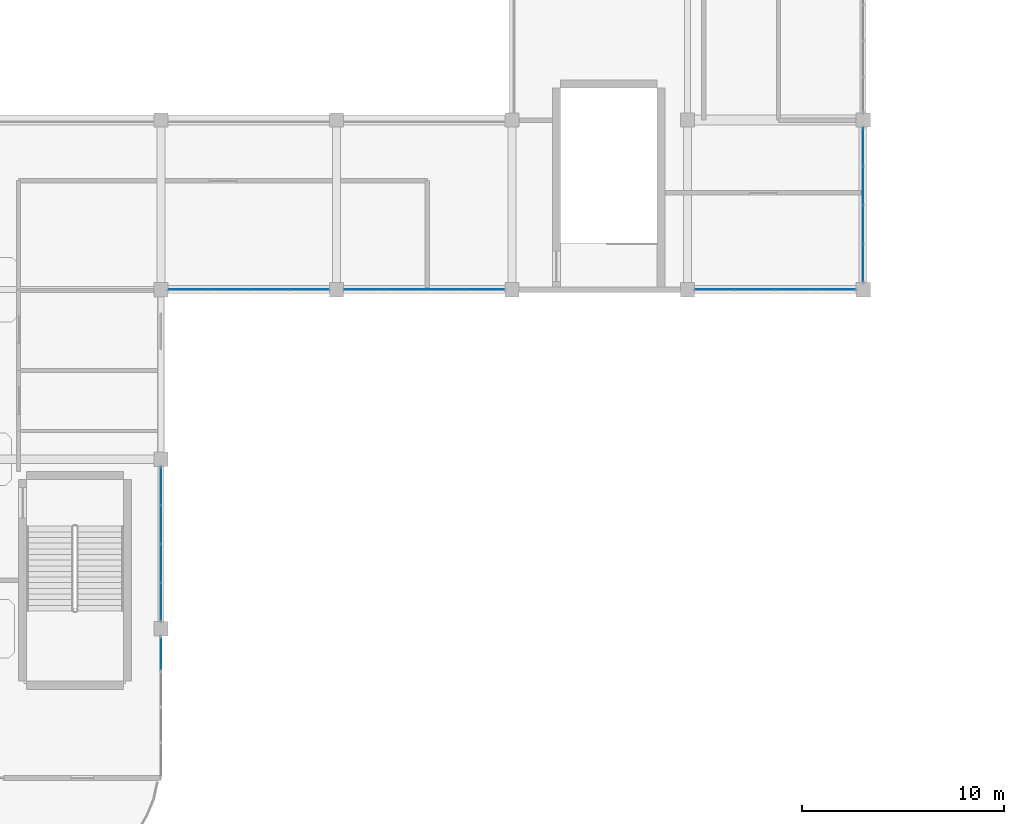
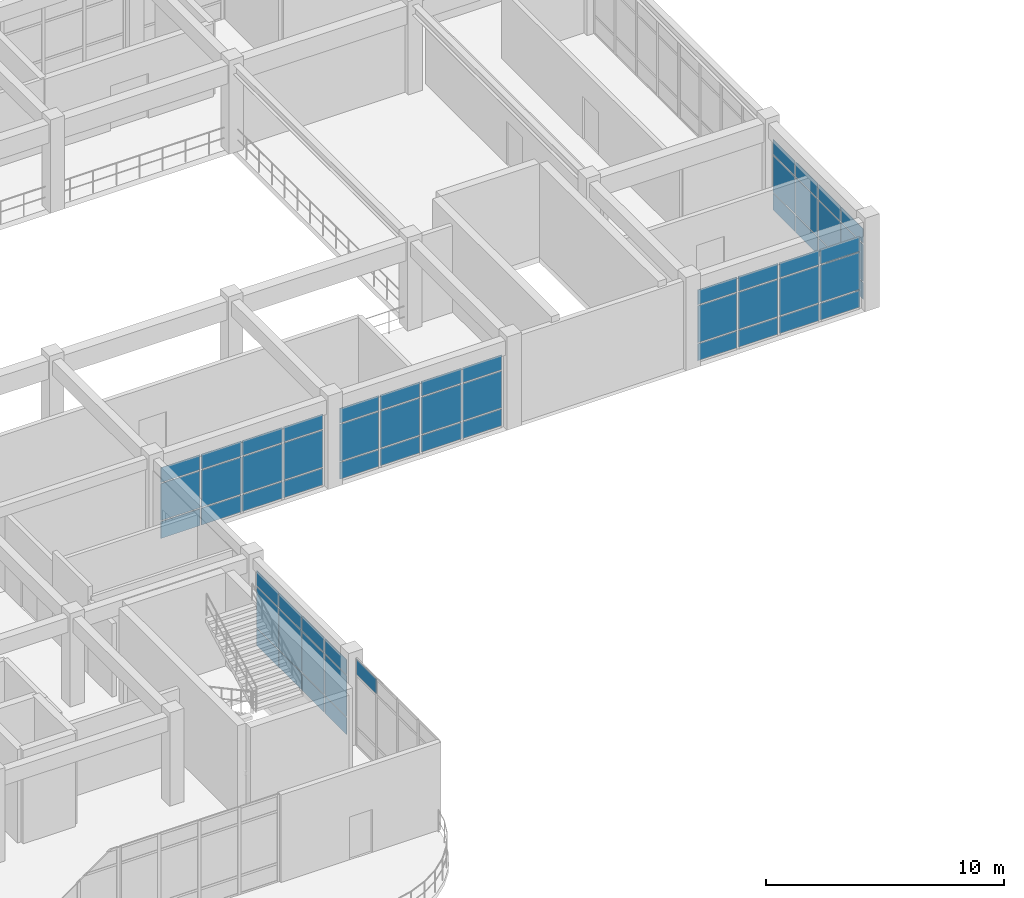
# One storey, part 50 of 64: 61 plates, 6 elements without a shape of their own.
"""IFC4 building model written with IfcOpenShell, lengths in metres."""

from ifc_helpers import new_model, si_unit, derived_unit, direction, frame, origin, origin_2d, place, context, subcontext, project, spatial, rectangle, extrude, material, layer, layer_set, type_object, element, aggregate, save


model = new_model("IFC4")

# Units and contexts
model_context = context("Model", 3, precision=1e-05, world=origin(), true_north=direction((0.0, 1.0)))
body_context = subcontext(model_context, "Body", "Model", "MODEL_VIEW")
ifc_project = project(units=[si_unit("LENGTHUNIT", "METRE"), si_unit("AREAUNIT", "SQUARE_METRE"), si_unit("VOLUMEUNIT", "CUBIC_METRE"), si_unit("PLANEANGLEUNIT", "RADIAN"), si_unit("MASSUNIT", "GRAM", prefix="KILO"), derived_unit("THERMALTRANSMITTANCEUNIT", [(si_unit("MASSUNIT", "GRAM", prefix="KILO"), 1), (si_unit("TIMEUNIT", "SECOND"), -3), (si_unit("THERMODYNAMICTEMPERATUREUNIT", "KELVIN"), -1)])], contexts=[model_context])

# Site, building, storey
site_placement = place(None, origin())
site = spatial("IfcSite", under=ifc_project, at=site_placement, CompositionType="ELEMENT")
building_placement = place(site_placement, origin())
building = spatial("IfcBuilding", under=site, at=building_placement, Name="Qinzheling Arcade Emporium", CompositionType="ELEMENT")
storey_placement = place(building_placement, frame((0.0, 0.0, 31.5)))
storey = spatial("IfcBuildingStorey", under=building, at=storey_placement, Name="L07", CompositionType="ELEMENT", Elevation=31.5)

# Curtain wall, plates
ifc_material_1 = material(Name="Anodised aluminium and solar-control double glazing", Category="aluminium")
ifc_layer_1 = layer(ifc_material_1, 0.159912109375, Name="Anodised aluminium and solar-control double glazing", Category="aluminium")
ifc_layer_set_1 = layer_set([ifc_layer_1], Name="Anodised aluminium and solar-control double glazing")
curtain_wall_type_1 = type_object("IfcCurtainWallType", Name="Atrium Clerestory Curtain Wall", PredefinedType="NOTDEFINED", material=ifc_layer_set_1)
curtain_wall_1_placement = place(storey_placement, origin())
curtain_wall_1 = element("IfcCurtainWall", 1, at=curtain_wall_1_placement, inside=storey, type_object=curtain_wall_type_1, Name="Curtain Wall CW-L07-427", PredefinedType="NOTDEFINED")
ifc_material_2 = material(Name="Laminated solar-control double glazing", Category="glass")
ifc_layer_2 = layer(ifc_material_2, 0.02197265625, Name="Laminated solar-control double glazing", Category="glass")
ifc_layer_set_2 = layer_set([ifc_layer_2], Name="Laminated solar-control double glazing")
plate_type_1 = type_object("IfcPlateType", Name="Low-E Double Glazed Curtain Panel 22mm", PredefinedType="CURTAIN_PANEL", material=ifc_layer_set_2)
plate_1_placement = place(storey_placement, frame((104.39990234375, 49.071044921875, 0.06005859375), z_axis=(0.0, 0.0, 1.0), x_axis=(0.0, -1.0, 0.0)))
plate_1 = element("IfcPlate", 2, at=plate_1_placement, type_object=plate_type_1, Name="CW03 panel 1.1", PredefinedType="CURTAIN_PANEL", context=body_context, shape_type="SweptSolid", body=[
    extrude(rectangle(XDim=1.833984375, YDim=0.02197265625, at=origin_2d()), origin(), (0.0, 0.0, 1.0), 0.860107421875),
])
plate_2_placement = place(storey_placement, frame((104.39990234375, 49.071044921875, 0.97998046875), z_axis=(0.0, 0.0, 1.0), x_axis=(0.0, -1.0, 0.0)))
plate_2 = element("IfcPlate", 3, at=plate_2_placement, type_object=plate_type_1, Name="CW03 panel 1.2", PredefinedType="CURTAIN_PANEL", context=body_context, shape_type="SweptSolid", body=[
    extrude(rectangle(XDim=1.833984375, YDim=0.02197265625, at=origin_2d()), origin(), (0.0, 0.0, 1.0), 1.89501953125),
])
plate_3_placement = place(storey_placement, frame((104.39990234375, 49.071044921875, 2.93505859375), z_axis=(0.0, 0.0, 1.0), x_axis=(0.0, -1.0, 0.0)))
plate_3 = element("IfcPlate", 4, at=plate_3_placement, type_object=plate_type_1, Name="CW03 panel 1.3", PredefinedType="CURTAIN_PANEL", context=body_context, shape_type="SweptSolid", body=[
    extrude(rectangle(XDim=1.833984375, YDim=0.02197265625, at=origin_2d()), origin(), (0.0, 0.0, 1.0), 0.760009765625),
])
plate_4_placement = place(storey_placement, frame((104.39990234375, 47.162109375, 0.06005859375), z_axis=(0.0, 0.0, 1.0), x_axis=(0.0, -1.0, 0.0)))
plate_4 = element("IfcPlate", 5, at=plate_4_placement, type_object=plate_type_1, Name="CW03 panel 2.1", PredefinedType="CURTAIN_PANEL", context=body_context, shape_type="SweptSolid", body=[
    extrude(rectangle(XDim=1.864013671875, YDim=0.02197265625, at=origin_2d()), origin(), (0.0, 0.0, 1.0), 0.860107421875),
])
plate_5_placement = place(storey_placement, frame((104.39990234375, 47.162109375, 0.97998046875), z_axis=(0.0, 0.0, 1.0), x_axis=(0.0, -1.0, 0.0)))
plate_5 = element("IfcPlate", 6, at=plate_5_placement, type_object=plate_type_1, Name="CW03 panel 2.2", PredefinedType="CURTAIN_PANEL", context=body_context, shape_type="SweptSolid", body=[
    extrude(rectangle(XDim=1.864013671875, YDim=0.02197265625, at=origin_2d()), origin(), (0.0, 0.0, 1.0), 1.89501953125),
])
plate_6_placement = place(storey_placement, frame((104.39990234375, 47.162109375, 2.93505859375), z_axis=(0.0, 0.0, 1.0), x_axis=(0.0, -1.0, 0.0)))
plate_6 = element("IfcPlate", 7, at=plate_6_placement, type_object=plate_type_1, Name="CW03 panel 2.3", PredefinedType="CURTAIN_PANEL", context=body_context, shape_type="SweptSolid", body=[
    extrude(rectangle(XDim=1.864013671875, YDim=0.02197265625, at=origin_2d()), origin(), (0.0, 0.0, 1.0), 0.760009765625),
])
plate_7_placement = place(storey_placement, frame((104.39990234375, 45.238037109375, 0.06005859375), z_axis=(0.0, 0.0, 1.0), x_axis=(0.0, -1.0, 0.0)))
plate_7 = element("IfcPlate", 8, at=plate_7_placement, type_object=plate_type_1, Name="CW03 panel 3.1", PredefinedType="CURTAIN_PANEL", context=body_context, shape_type="SweptSolid", body=[
    extrude(rectangle(XDim=1.864013671875, YDim=0.02197265625, at=origin_2d()), origin(), (0.0, 0.0, 1.0), 0.860107421875),
])
plate_8_placement = place(storey_placement, frame((104.39990234375, 45.238037109375, 0.97998046875), z_axis=(0.0, 0.0, 1.0), x_axis=(0.0, -1.0, 0.0)))
plate_8 = element("IfcPlate", 9, at=plate_8_placement, type_object=plate_type_1, Name="CW03 panel 3.2", PredefinedType="CURTAIN_PANEL", context=body_context, shape_type="SweptSolid", body=[
    extrude(rectangle(XDim=1.864013671875, YDim=0.02197265625, at=origin_2d()), origin(), (0.0, 0.0, 1.0), 1.89501953125),
])
plate_9_placement = place(storey_placement, frame((104.39990234375, 45.238037109375, 2.93505859375), z_axis=(0.0, 0.0, 1.0), x_axis=(0.0, -1.0, 0.0)))
plate_9 = element("IfcPlate", 10, at=plate_9_placement, type_object=plate_type_1, Name="CW03 panel 3.3", PredefinedType="CURTAIN_PANEL", context=body_context, shape_type="SweptSolid", body=[
    extrude(rectangle(XDim=1.864013671875, YDim=0.02197265625, at=origin_2d()), origin(), (0.0, 0.0, 1.0), 0.760009765625),
])
plate_10_placement = place(storey_placement, frame((104.39990234375, 43.3291015625, 0.06005859375), z_axis=(0.0, 0.0, 1.0), x_axis=(0.0, -1.0, 0.0)))
plate_10 = element("IfcPlate", 11, at=plate_10_placement, type_object=plate_type_1, Name="CW03 panel 4.1", PredefinedType="CURTAIN_PANEL", context=body_context, shape_type="SweptSolid", body=[
    extrude(rectangle(XDim=1.833984375, YDim=0.02197265625, at=origin_2d()), origin(), (0.0, 0.0, 1.0), 0.860107421875),
])
plate_11_placement = place(storey_placement, frame((104.39990234375, 43.3291015625, 0.97998046875), z_axis=(0.0, 0.0, 1.0), x_axis=(0.0, -1.0, 0.0)))
plate_11 = element("IfcPlate", 12, at=plate_11_placement, type_object=plate_type_1, Name="CW03 panel 4.2", PredefinedType="CURTAIN_PANEL", context=body_context, shape_type="SweptSolid", body=[
    extrude(rectangle(XDim=1.833984375, YDim=0.02197265625, at=origin_2d()), origin(), (0.0, 0.0, 1.0), 1.89501953125),
])
plate_12_placement = place(storey_placement, frame((104.39990234375, 43.3291015625, 2.93505859375), z_axis=(0.0, 0.0, 1.0), x_axis=(0.0, -1.0, 0.0)))
plate_12 = element("IfcPlate", 13, at=plate_12_placement, type_object=plate_type_1, Name="CW03 panel 4.3", PredefinedType="CURTAIN_PANEL", context=body_context, shape_type="SweptSolid", body=[
    extrude(rectangle(XDim=1.833984375, YDim=0.02197265625, at=origin_2d()), origin(), (0.0, 0.0, 1.0), 0.760009765625),
])
aggregate(curtain_wall_1, [plate_1, plate_2, plate_3, plate_4, plate_5, plate_6, plate_7, plate_8, plate_9, plate_10, plate_11, plate_12])

curtain_wall_2_placement = place(storey_placement, origin())
curtain_wall_2 = element("IfcCurtainWall", 14, at=curtain_wall_2_placement, inside=storey, type_object=curtain_wall_type_1, Name="Curtain Wall CW-L07-428", PredefinedType="NOTDEFINED")
ifc_layer_3 = layer(ifc_material_2, 0.02392578125, Name="Laminated solar-control double glazing", Category="glass")
ifc_layer_set_3 = layer_set([ifc_layer_3], Name="Laminated solar-control double glazing")
plate_type_2 = type_object("IfcPlateType", Name="Low-E Double Glazed Curtain Panel 24mm", PredefinedType="CURTAIN_PANEL", material=ifc_layer_set_3)
plate_13_placement = place(storey_placement, frame((103.033447265625, 42.0, 0.06005859375), z_axis=(0.0, 0.0, 1.0), x_axis=(-1.0, 0.0, 0.0)))
plate_13 = element("IfcPlate", 15, at=plate_13_placement, type_object=plate_type_2, Name="CW03 panel 1.1", PredefinedType="CURTAIN_PANEL", context=body_context, shape_type="SweptSolid", body=[
    extrude(rectangle(XDim=1.908935546875, YDim=0.02392578125, at=origin_2d()), origin(), (0.0, 0.0, 1.0), 0.860107421875),
])
plate_14_placement = place(storey_placement, frame((103.033447265625, 42.0, 0.97998046875), z_axis=(0.0, 0.0, 1.0), x_axis=(-1.0, 0.0, 0.0)))
plate_14 = element("IfcPlate", 16, at=plate_14_placement, type_object=plate_type_2, Name="CW03 panel 1.2", PredefinedType="CURTAIN_PANEL", context=body_context, shape_type="SweptSolid", body=[
    extrude(rectangle(XDim=1.908935546875, YDim=0.02392578125, at=origin_2d()), origin(), (0.0, 0.0, 1.0), 1.89501953125),
])
plate_15_placement = place(storey_placement, frame((103.033447265625, 42.0, 2.93505859375), z_axis=(0.0, 0.0, 1.0), x_axis=(-1.0, 0.0, 0.0)))
plate_15 = element("IfcPlate", 17, at=plate_15_placement, type_object=plate_type_2, Name="CW03 panel 1.3", PredefinedType="CURTAIN_PANEL", context=body_context, shape_type="SweptSolid", body=[
    extrude(rectangle(XDim=1.908935546875, YDim=0.02392578125, at=origin_2d()), origin(), (0.0, 0.0, 1.0), 0.760009765625),
])
plate_16_placement = place(storey_placement, frame((101.049560546875, 42.0, 0.06005859375), z_axis=(0.0, 0.0, 1.0), x_axis=(-1.0, 0.0, 0.0)))
plate_16 = element("IfcPlate", 18, at=plate_16_placement, type_object=plate_type_2, Name="CW03 panel 2.1", PredefinedType="CURTAIN_PANEL", context=body_context, shape_type="SweptSolid", body=[
    extrude(rectangle(XDim=1.93896484375, YDim=0.02392578125, at=origin_2d()), origin(), (0.0, 0.0, 1.0), 0.860107421875),
])
plate_17_placement = place(storey_placement, frame((101.049560546875, 42.0, 0.97998046875), z_axis=(0.0, 0.0, 1.0), x_axis=(-1.0, 0.0, 0.0)))
plate_17 = element("IfcPlate", 19, at=plate_17_placement, type_object=plate_type_2, Name="CW03 panel 2.2", PredefinedType="CURTAIN_PANEL", context=body_context, shape_type="SweptSolid", body=[
    extrude(rectangle(XDim=1.93896484375, YDim=0.02392578125, at=origin_2d()), origin(), (0.0, 0.0, 1.0), 1.89501953125),
])
plate_18_placement = place(storey_placement, frame((101.049560546875, 42.0, 2.93505859375), z_axis=(0.0, 0.0, 1.0), x_axis=(-1.0, 0.0, 0.0)))
plate_18 = element("IfcPlate", 20, at=plate_18_placement, type_object=plate_type_2, Name="CW03 panel 2.3", PredefinedType="CURTAIN_PANEL", context=body_context, shape_type="SweptSolid", body=[
    extrude(rectangle(XDim=1.93896484375, YDim=0.02392578125, at=origin_2d()), origin(), (0.0, 0.0, 1.0), 0.760009765625),
])
plate_19_placement = place(storey_placement, frame((99.050537109375, 42.0, 0.06005859375), z_axis=(0.0, 0.0, 1.0), x_axis=(-1.0, 0.0, 0.0)))
plate_19 = element("IfcPlate", 21, at=plate_19_placement, type_object=plate_type_2, Name="CW03 panel 3.1", PredefinedType="CURTAIN_PANEL", context=body_context, shape_type="SweptSolid", body=[
    extrude(rectangle(XDim=1.93896484375, YDim=0.02392578125, at=origin_2d()), origin(), (0.0, 0.0, 1.0), 0.860107421875),
])
plate_20_placement = place(storey_placement, frame((99.050537109375, 42.0, 0.97998046875), z_axis=(0.0, 0.0, 1.0), x_axis=(-1.0, 0.0, 0.0)))
plate_20 = element("IfcPlate", 22, at=plate_20_placement, type_object=plate_type_2, Name="CW03 panel 3.2", PredefinedType="CURTAIN_PANEL", context=body_context, shape_type="SweptSolid", body=[
    extrude(rectangle(XDim=1.93896484375, YDim=0.02392578125, at=origin_2d()), origin(), (0.0, 0.0, 1.0), 1.89501953125),
])
plate_21_placement = place(storey_placement, frame((99.050537109375, 42.0, 2.93505859375), z_axis=(0.0, 0.0, 1.0), x_axis=(-1.0, 0.0, 0.0)))
plate_21 = element("IfcPlate", 23, at=plate_21_placement, type_object=plate_type_2, Name="CW03 panel 3.3", PredefinedType="CURTAIN_PANEL", context=body_context, shape_type="SweptSolid", body=[
    extrude(rectangle(XDim=1.93896484375, YDim=0.02392578125, at=origin_2d()), origin(), (0.0, 0.0, 1.0), 0.760009765625),
])
plate_22_placement = place(storey_placement, frame((97.06640625, 42.0, 0.06005859375), z_axis=(0.0, 0.0, 1.0), x_axis=(-1.0, 0.0, 0.0)))
plate_22 = element("IfcPlate", 24, at=plate_22_placement, type_object=plate_type_2, Name="CW03 panel 4.1", PredefinedType="CURTAIN_PANEL", context=body_context, shape_type="SweptSolid", body=[
    extrude(rectangle(XDim=1.908935546875, YDim=0.02392578125, at=origin_2d()), origin(), (0.0, 0.0, 1.0), 0.860107421875),
])
plate_23_placement = place(storey_placement, frame((97.06640625, 42.0, 0.97998046875), z_axis=(0.0, 0.0, 1.0), x_axis=(-1.0, 0.0, 0.0)))
plate_23 = element("IfcPlate", 25, at=plate_23_placement, type_object=plate_type_2, Name="CW03 panel 4.2", PredefinedType="CURTAIN_PANEL", context=body_context, shape_type="SweptSolid", body=[
    extrude(rectangle(XDim=1.908935546875, YDim=0.02392578125, at=origin_2d()), origin(), (0.0, 0.0, 1.0), 1.89501953125),
])
plate_24_placement = place(storey_placement, frame((97.06640625, 42.0, 2.93505859375), z_axis=(0.0, 0.0, 1.0), x_axis=(-1.0, 0.0, 0.0)))
plate_24 = element("IfcPlate", 26, at=plate_24_placement, type_object=plate_type_2, Name="CW03 panel 4.3", PredefinedType="CURTAIN_PANEL", context=body_context, shape_type="SweptSolid", body=[
    extrude(rectangle(XDim=1.908935546875, YDim=0.02392578125, at=origin_2d()), origin(), (0.0, 0.0, 1.0), 0.760009765625),
])
aggregate(curtain_wall_2, [plate_13, plate_14, plate_15, plate_16, plate_17, plate_18, plate_19, plate_20, plate_21, plate_22, plate_23, plate_24])

curtain_wall_3_placement = place(storey_placement, origin())
curtain_wall_3 = element("IfcCurtainWall", 27, at=curtain_wall_3_placement, inside=storey, type_object=curtain_wall_type_1, Name="Curtain Wall CW-L07-429", PredefinedType="NOTDEFINED")
ifc_layer_4 = layer(ifc_material_2, 0.02490234375, Name="Laminated solar-control double glazing", Category="glass")
ifc_layer_set_4 = layer_set([ifc_layer_4], Name="Laminated solar-control double glazing")
plate_type_3 = type_object("IfcPlateType", Name="Low-E Double Glazed Curtain Panel 25mm", PredefinedType="CURTAIN_PANEL", material=ifc_layer_set_4)
plate_25_placement = place(storey_placement, frame((85.633544921875, 42.0, 0.06005859375), z_axis=(0.0, 0.0, 1.0), x_axis=(-1.0, 0.0, 0.0)))
plate_25 = element("IfcPlate", 28, at=plate_25_placement, type_object=plate_type_3, Name="CW03 panel 1.1", PredefinedType="CURTAIN_PANEL", context=body_context, shape_type="SweptSolid", body=[
    extrude(rectangle(XDim=1.908935546875, YDim=0.02490234375, at=origin_2d()), origin(), (0.0, 0.0, 1.0), 0.860107421875),
])
plate_26_placement = place(storey_placement, frame((85.633544921875, 42.0, 0.97998046875), z_axis=(0.0, 0.0, 1.0), x_axis=(-1.0, 0.0, 0.0)))
plate_26 = element("IfcPlate", 29, at=plate_26_placement, type_object=plate_type_3, Name="CW03 panel 1.2", PredefinedType="CURTAIN_PANEL", context=body_context, shape_type="SweptSolid", body=[
    extrude(rectangle(XDim=1.908935546875, YDim=0.02490234375, at=origin_2d()), origin(), (0.0, 0.0, 1.0), 1.89501953125),
])
plate_27_placement = place(storey_placement, frame((85.633544921875, 42.0, 2.93505859375), z_axis=(0.0, 0.0, 1.0), x_axis=(-1.0, 0.0, 0.0)))
plate_27 = element("IfcPlate", 30, at=plate_27_placement, type_object=plate_type_3, Name="CW03 panel 1.3", PredefinedType="CURTAIN_PANEL", context=body_context, shape_type="SweptSolid", body=[
    extrude(rectangle(XDim=1.908935546875, YDim=0.02490234375, at=origin_2d()), origin(), (0.0, 0.0, 1.0), 0.760009765625),
])
plate_28_placement = place(storey_placement, frame((83.6494140625, 42.0, 0.06005859375), z_axis=(0.0, 0.0, 1.0), x_axis=(-1.0, 0.0, 0.0)))
plate_28 = element("IfcPlate", 31, at=plate_28_placement, type_object=plate_type_3, Name="CW03 panel 2.1", PredefinedType="CURTAIN_PANEL", context=body_context, shape_type="SweptSolid", body=[
    extrude(rectangle(XDim=1.93896484375, YDim=0.02490234375, at=origin_2d()), origin(), (0.0, 0.0, 1.0), 0.860107421875),
])
plate_29_placement = place(storey_placement, frame((83.6494140625, 42.0, 0.97998046875), z_axis=(0.0, 0.0, 1.0), x_axis=(-1.0, 0.0, 0.0)))
plate_29 = element("IfcPlate", 32, at=plate_29_placement, type_object=plate_type_3, Name="CW03 panel 2.2", PredefinedType="CURTAIN_PANEL", context=body_context, shape_type="SweptSolid", body=[
    extrude(rectangle(XDim=1.93896484375, YDim=0.02490234375, at=origin_2d()), origin(), (0.0, 0.0, 1.0), 1.89501953125),
])
plate_30_placement = place(storey_placement, frame((83.6494140625, 42.0, 2.93505859375), z_axis=(0.0, 0.0, 1.0), x_axis=(-1.0, 0.0, 0.0)))
plate_30 = element("IfcPlate", 33, at=plate_30_placement, type_object=plate_type_3, Name="CW03 panel 2.3", PredefinedType="CURTAIN_PANEL", context=body_context, shape_type="SweptSolid", body=[
    extrude(rectangle(XDim=1.93896484375, YDim=0.02490234375, at=origin_2d()), origin(), (0.0, 0.0, 1.0), 0.760009765625),
])
plate_31_placement = place(storey_placement, frame((81.650390625, 42.0, 0.06005859375), z_axis=(0.0, 0.0, 1.0), x_axis=(-1.0, 0.0, 0.0)))
plate_31 = element("IfcPlate", 34, at=plate_31_placement, type_object=plate_type_3, Name="CW03 panel 3.1", PredefinedType="CURTAIN_PANEL", context=body_context, shape_type="SweptSolid", body=[
    extrude(rectangle(XDim=1.93896484375, YDim=0.02490234375, at=origin_2d()), origin(), (0.0, 0.0, 1.0), 0.860107421875),
])
plate_32_placement = place(storey_placement, frame((81.650390625, 42.0, 0.97998046875), z_axis=(0.0, 0.0, 1.0), x_axis=(-1.0, 0.0, 0.0)))
plate_32 = element("IfcPlate", 35, at=plate_32_placement, type_object=plate_type_3, Name="CW03 panel 3.2", PredefinedType="CURTAIN_PANEL", context=body_context, shape_type="SweptSolid", body=[
    extrude(rectangle(XDim=1.93896484375, YDim=0.02490234375, at=origin_2d()), origin(), (0.0, 0.0, 1.0), 1.89501953125),
])
plate_33_placement = place(storey_placement, frame((81.650390625, 42.0, 2.93505859375), z_axis=(0.0, 0.0, 1.0), x_axis=(-1.0, 0.0, 0.0)))
plate_33 = element("IfcPlate", 36, at=plate_33_placement, type_object=plate_type_3, Name="CW03 panel 3.3", PredefinedType="CURTAIN_PANEL", context=body_context, shape_type="SweptSolid", body=[
    extrude(rectangle(XDim=1.93896484375, YDim=0.02490234375, at=origin_2d()), origin(), (0.0, 0.0, 1.0), 0.760009765625),
])
plate_34_placement = place(storey_placement, frame((79.66650390625, 42.0, 0.06005859375), z_axis=(0.0, 0.0, 1.0), x_axis=(-1.0, 0.0, 0.0)))
plate_34 = element("IfcPlate", 37, at=plate_34_placement, type_object=plate_type_3, Name="CW03 panel 4.1", PredefinedType="CURTAIN_PANEL", context=body_context, shape_type="SweptSolid", body=[
    extrude(rectangle(XDim=1.908935546875, YDim=0.02490234375, at=origin_2d()), origin(), (0.0, 0.0, 1.0), 0.860107421875),
])
plate_35_placement = place(storey_placement, frame((79.66650390625, 42.0, 0.97998046875), z_axis=(0.0, 0.0, 1.0), x_axis=(-1.0, 0.0, 0.0)))
plate_35 = element("IfcPlate", 38, at=plate_35_placement, type_object=plate_type_3, Name="CW03 panel 4.2", PredefinedType="CURTAIN_PANEL", context=body_context, shape_type="SweptSolid", body=[
    extrude(rectangle(XDim=1.908935546875, YDim=0.02490234375, at=origin_2d()), origin(), (0.0, 0.0, 1.0), 1.89501953125),
])
plate_36_placement = place(storey_placement, frame((79.66650390625, 42.0, 2.93505859375), z_axis=(0.0, 0.0, 1.0), x_axis=(-1.0, 0.0, 0.0)))
plate_36 = element("IfcPlate", 39, at=plate_36_placement, type_object=plate_type_3, Name="CW03 panel 4.3", PredefinedType="CURTAIN_PANEL", context=body_context, shape_type="SweptSolid", body=[
    extrude(rectangle(XDim=1.908935546875, YDim=0.02490234375, at=origin_2d()), origin(), (0.0, 0.0, 1.0), 0.760009765625),
])
aggregate(curtain_wall_3, [plate_25, plate_26, plate_27, plate_28, plate_29, plate_30, plate_31, plate_32, plate_33, plate_34, plate_35, plate_36])

curtain_wall_4_placement = place(storey_placement, origin())
curtain_wall_4 = element("IfcCurtainWall", 40, at=curtain_wall_4_placement, inside=storey, type_object=curtain_wall_type_1, Name="Curtain Wall CW-L07-430", PredefinedType="NOTDEFINED")
ifc_layer_5 = layer(ifc_material_2, 0.02587890625, Name="Laminated solar-control double glazing", Category="glass")
ifc_layer_set_5 = layer_set([ifc_layer_5], Name="Laminated solar-control double glazing")
plate_type_4 = type_object("IfcPlateType", Name="Low-E Double Glazed Curtain Panel 26mm", PredefinedType="CURTAIN_PANEL", material=ifc_layer_set_5)
plate_37_placement = place(storey_placement, frame((76.93359375, 42.0, 0.06005859375), z_axis=(0.0, 0.0, 1.0), x_axis=(-1.0, 0.0, 0.0)))
plate_37 = element("IfcPlate", 41, at=plate_37_placement, type_object=plate_type_4, Name="CW03 panel 1.1", PredefinedType="CURTAIN_PANEL", context=body_context, shape_type="SweptSolid", body=[
    extrude(rectangle(XDim=1.908935546875, YDim=0.02587890625, at=origin_2d()), origin(), (0.0, 0.0, 1.0), 0.860107421875),
])
plate_38_placement = place(storey_placement, frame((76.93359375, 42.0, 0.97998046875), z_axis=(0.0, 0.0, 1.0), x_axis=(-1.0, 0.0, 0.0)))
plate_38 = element("IfcPlate", 42, at=plate_38_placement, type_object=plate_type_4, Name="CW03 panel 1.2", PredefinedType="CURTAIN_PANEL", context=body_context, shape_type="SweptSolid", body=[
    extrude(rectangle(XDim=1.908935546875, YDim=0.02587890625, at=origin_2d()), origin(), (0.0, 0.0, 1.0), 1.89501953125),
])
plate_39_placement = place(storey_placement, frame((76.93359375, 42.0, 2.93505859375), z_axis=(0.0, 0.0, 1.0), x_axis=(-1.0, 0.0, 0.0)))
plate_39 = element("IfcPlate", 43, at=plate_39_placement, type_object=plate_type_4, Name="CW03 panel 1.3", PredefinedType="CURTAIN_PANEL", context=body_context, shape_type="SweptSolid", body=[
    extrude(rectangle(XDim=1.908935546875, YDim=0.02587890625, at=origin_2d()), origin(), (0.0, 0.0, 1.0), 0.760009765625),
])
plate_40_placement = place(storey_placement, frame((74.949462890625, 42.0, 0.06005859375), z_axis=(0.0, 0.0, 1.0), x_axis=(-1.0, 0.0, 0.0)))
plate_40 = element("IfcPlate", 44, at=plate_40_placement, type_object=plate_type_4, Name="CW03 panel 2.1", PredefinedType="CURTAIN_PANEL", context=body_context, shape_type="SweptSolid", body=[
    extrude(rectangle(XDim=1.93896484375, YDim=0.02587890625, at=origin_2d()), origin(), (0.0, 0.0, 1.0), 0.860107421875),
])
plate_41_placement = place(storey_placement, frame((74.949462890625, 42.0, 0.97998046875), z_axis=(0.0, 0.0, 1.0), x_axis=(-1.0, 0.0, 0.0)))
plate_41 = element("IfcPlate", 45, at=plate_41_placement, type_object=plate_type_4, Name="CW03 panel 2.2", PredefinedType="CURTAIN_PANEL", context=body_context, shape_type="SweptSolid", body=[
    extrude(rectangle(XDim=1.93896484375, YDim=0.02587890625, at=origin_2d()), origin(), (0.0, 0.0, 1.0), 1.89501953125),
])
plate_42_placement = place(storey_placement, frame((74.949462890625, 42.0, 2.93505859375), z_axis=(0.0, 0.0, 1.0), x_axis=(-1.0, 0.0, 0.0)))
plate_42 = element("IfcPlate", 46, at=plate_42_placement, type_object=plate_type_4, Name="CW03 panel 2.3", PredefinedType="CURTAIN_PANEL", context=body_context, shape_type="SweptSolid", body=[
    extrude(rectangle(XDim=1.93896484375, YDim=0.02587890625, at=origin_2d()), origin(), (0.0, 0.0, 1.0), 0.760009765625),
])
plate_43_placement = place(storey_placement, frame((72.950439453125, 42.0, 0.06005859375), z_axis=(0.0, 0.0, 1.0), x_axis=(-1.0, 0.0, 0.0)))
plate_43 = element("IfcPlate", 47, at=plate_43_placement, type_object=plate_type_4, Name="CW03 panel 3.1", PredefinedType="CURTAIN_PANEL", context=body_context, shape_type="SweptSolid", body=[
    extrude(rectangle(XDim=1.93896484375, YDim=0.02587890625, at=origin_2d()), origin(), (0.0, 0.0, 1.0), 0.860107421875),
])
plate_44_placement = place(storey_placement, frame((72.950439453125, 42.0, 0.97998046875), z_axis=(0.0, 0.0, 1.0), x_axis=(-1.0, 0.0, 0.0)))
plate_44 = element("IfcPlate", 48, at=plate_44_placement, type_object=plate_type_4, Name="CW03 panel 3.2", PredefinedType="CURTAIN_PANEL", context=body_context, shape_type="SweptSolid", body=[
    extrude(rectangle(XDim=1.93896484375, YDim=0.02587890625, at=origin_2d()), origin(), (0.0, 0.0, 1.0), 1.89501953125),
])
plate_45_placement = place(storey_placement, frame((72.950439453125, 42.0, 2.93505859375), z_axis=(0.0, 0.0, 1.0), x_axis=(-1.0, 0.0, 0.0)))
plate_45 = element("IfcPlate", 49, at=plate_45_placement, type_object=plate_type_4, Name="CW03 panel 3.3", PredefinedType="CURTAIN_PANEL", context=body_context, shape_type="SweptSolid", body=[
    extrude(rectangle(XDim=1.93896484375, YDim=0.02587890625, at=origin_2d()), origin(), (0.0, 0.0, 1.0), 0.760009765625),
])
plate_46_placement = place(storey_placement, frame((70.966552734375, 42.0, 0.06005859375), z_axis=(0.0, 0.0, 1.0), x_axis=(-1.0, 0.0, 0.0)))
plate_46 = element("IfcPlate", 50, at=plate_46_placement, type_object=plate_type_4, Name="CW03 panel 4.1", PredefinedType="CURTAIN_PANEL", context=body_context, shape_type="SweptSolid", body=[
    extrude(rectangle(XDim=1.908935546875, YDim=0.02587890625, at=origin_2d()), origin(), (0.0, 0.0, 1.0), 0.860107421875),
])
plate_47_placement = place(storey_placement, frame((70.966552734375, 42.0, 0.97998046875), z_axis=(0.0, 0.0, 1.0), x_axis=(-1.0, 0.0, 0.0)))
plate_47 = element("IfcPlate", 51, at=plate_47_placement, type_object=plate_type_4, Name="CW03 panel 4.2", PredefinedType="CURTAIN_PANEL", context=body_context, shape_type="SweptSolid", body=[
    extrude(rectangle(XDim=1.908935546875, YDim=0.02587890625, at=origin_2d()), origin(), (0.0, 0.0, 1.0), 1.89501953125),
])
plate_48_placement = place(storey_placement, frame((70.966552734375, 42.0, 2.93505859375), z_axis=(0.0, 0.0, 1.0), x_axis=(-1.0, 0.0, 0.0)))
plate_48 = element("IfcPlate", 52, at=plate_48_placement, type_object=plate_type_4, Name="CW03 panel 4.3", PredefinedType="CURTAIN_PANEL", context=body_context, shape_type="SweptSolid", body=[
    extrude(rectangle(XDim=1.908935546875, YDim=0.02587890625, at=origin_2d()), origin(), (0.0, 0.0, 1.0), 0.760009765625),
])
aggregate(curtain_wall_4, [plate_37, plate_38, plate_39, plate_40, plate_41, plate_42, plate_43, plate_44, plate_45, plate_46, plate_47, plate_48])

ifc_layer_6 = layer(ifc_material_1, 0.159912109375, Name="Anodised aluminium and solar-control double glazing", Category="aluminium")
ifc_layer_set_6 = layer_set([ifc_layer_6], Name="Anodised aluminium and solar-control double glazing")
curtain_wall_type_2 = type_object("IfcCurtainWallType", Name="Arcade Portal Glazed Curtain Wall", PredefinedType="NOTDEFINED", material=ifc_layer_set_6)
curtain_wall_5_placement = place(storey_placement, origin())
curtain_wall_5 = element("IfcCurtainWall", 53, at=curtain_wall_5_placement, inside=storey, type_object=curtain_wall_type_2, Name="Curtain Wall CW-L07-431", PredefinedType="NOTDEFINED")
ifc_layer_7 = layer(ifc_material_2, 0.027099609375, Name="Laminated solar-control double glazing", Category="glass")
ifc_layer_set_7 = layer_set([ifc_layer_7], Name="Laminated solar-control double glazing")
plate_type_5 = type_object("IfcPlateType", Name="Low-E Double Glazed Curtain Panel 27mm", PredefinedType="CURTAIN_PANEL", material=ifc_layer_set_7)
plate_49_placement = place(storey_placement, frame((69.60009765625, 32.27099609375, 0.06005859375), z_axis=(0.0, 0.0, 1.0), x_axis=(0.0, -1.0, 0.0)))
plate_49 = element("IfcPlate", 54, at=plate_49_placement, type_object=plate_type_5, Name="CW05 panel 1.1", PredefinedType="CURTAIN_PANEL", context=body_context, shape_type="SweptSolid", body=[
    extrude(rectangle(XDim=1.833984375, YDim=0.027099609375, at=origin_2d()), origin(), (0.0, 0.0, 1.0), 0.860107421875),
])
plate_50_placement = place(storey_placement, frame((69.60009765625, 32.27099609375, 0.97998046875), z_axis=(0.0, 0.0, 1.0), x_axis=(0.0, -1.0, 0.0)))
plate_50 = element("IfcPlate", 55, at=plate_50_placement, type_object=plate_type_5, Name="CW05 panel 1.2", PredefinedType="CURTAIN_PANEL", context=body_context, shape_type="SweptSolid", body=[
    extrude(rectangle(XDim=1.833984375, YDim=0.027099609375, at=origin_2d()), origin(), (0.0, 0.0, 1.0), 2.094970703125),
])
plate_51_placement = place(storey_placement, frame((69.60009765625, 32.27099609375, 3.134765625), z_axis=(0.0, 0.0, 1.0), x_axis=(0.0, -1.0, 0.0)))
plate_51 = element("IfcPlate", 56, at=plate_51_placement, type_object=plate_type_5, Name="CW05 panel 1.3", PredefinedType="CURTAIN_PANEL", context=body_context, shape_type="SweptSolid", body=[
    extrude(rectangle(XDim=1.833984375, YDim=0.027099609375, at=origin_2d()), origin(), (0.0, 0.0, 1.0), 0.760009765625),
])
plate_52_placement = place(storey_placement, frame((69.60009765625, 30.362060546875, 0.06005859375), z_axis=(0.0, 0.0, 1.0), x_axis=(0.0, -1.0, 0.0)))
plate_52 = element("IfcPlate", 57, at=plate_52_placement, type_object=plate_type_5, Name="CW05 panel 2.1", PredefinedType="CURTAIN_PANEL", context=body_context, shape_type="SweptSolid", body=[
    extrude(rectangle(XDim=1.864013671875, YDim=0.027099609375, at=origin_2d()), origin(), (0.0, 0.0, 1.0), 0.860107421875),
])
plate_53_placement = place(storey_placement, frame((69.60009765625, 30.362060546875, 0.97998046875), z_axis=(0.0, 0.0, 1.0), x_axis=(0.0, -1.0, 0.0)))
plate_53 = element("IfcPlate", 58, at=plate_53_placement, type_object=plate_type_5, Name="CW05 panel 2.2", PredefinedType="CURTAIN_PANEL", context=body_context, shape_type="SweptSolid", body=[
    extrude(rectangle(XDim=1.864013671875, YDim=0.027099609375, at=origin_2d()), origin(), (0.0, 0.0, 1.0), 2.094970703125),
])
plate_54_placement = place(storey_placement, frame((69.60009765625, 30.362060546875, 3.134765625), z_axis=(0.0, 0.0, 1.0), x_axis=(0.0, -1.0, 0.0)))
plate_54 = element("IfcPlate", 59, at=plate_54_placement, type_object=plate_type_5, Name="CW05 panel 2.3", PredefinedType="CURTAIN_PANEL", context=body_context, shape_type="SweptSolid", body=[
    extrude(rectangle(XDim=1.864013671875, YDim=0.027099609375, at=origin_2d()), origin(), (0.0, 0.0, 1.0), 0.760009765625),
])
plate_55_placement = place(storey_placement, frame((69.60009765625, 28.43798828125, 0.06005859375), z_axis=(0.0, 0.0, 1.0), x_axis=(0.0, -1.0, 0.0)))
plate_55 = element("IfcPlate", 60, at=plate_55_placement, type_object=plate_type_5, Name="CW05 panel 3.1", PredefinedType="CURTAIN_PANEL", context=body_context, shape_type="SweptSolid", body=[
    extrude(rectangle(XDim=1.864013671875, YDim=0.027099609375, at=origin_2d()), origin(), (0.0, 0.0, 1.0), 0.860107421875),
])
plate_56_placement = place(storey_placement, frame((69.60009765625, 28.43798828125, 0.97998046875), z_axis=(0.0, 0.0, 1.0), x_axis=(0.0, -1.0, 0.0)))
plate_56 = element("IfcPlate", 61, at=plate_56_placement, type_object=plate_type_5, Name="CW05 panel 3.2", PredefinedType="CURTAIN_PANEL", context=body_context, shape_type="SweptSolid", body=[
    extrude(rectangle(XDim=1.864013671875, YDim=0.027099609375, at=origin_2d()), origin(), (0.0, 0.0, 1.0), 2.094970703125),
])
plate_57_placement = place(storey_placement, frame((69.60009765625, 28.43798828125, 3.134765625), z_axis=(0.0, 0.0, 1.0), x_axis=(0.0, -1.0, 0.0)))
plate_57 = element("IfcPlate", 62, at=plate_57_placement, type_object=plate_type_5, Name="CW05 panel 3.3", PredefinedType="CURTAIN_PANEL", context=body_context, shape_type="SweptSolid", body=[
    extrude(rectangle(XDim=1.864013671875, YDim=0.027099609375, at=origin_2d()), origin(), (0.0, 0.0, 1.0), 0.760009765625),
])
plate_58_placement = place(storey_placement, frame((69.60009765625, 26.529052734375, 0.06005859375), z_axis=(0.0, 0.0, 1.0), x_axis=(0.0, -1.0, 0.0)))
plate_58 = element("IfcPlate", 63, at=plate_58_placement, type_object=plate_type_5, Name="CW05 panel 4.1", PredefinedType="CURTAIN_PANEL", context=body_context, shape_type="SweptSolid", body=[
    extrude(rectangle(XDim=1.833984375, YDim=0.027099609375, at=origin_2d()), origin(), (0.0, 0.0, 1.0), 0.860107421875),
])
plate_59_placement = place(storey_placement, frame((69.60009765625, 26.529052734375, 0.97998046875), z_axis=(0.0, 0.0, 1.0), x_axis=(0.0, -1.0, 0.0)))
plate_59 = element("IfcPlate", 64, at=plate_59_placement, type_object=plate_type_5, Name="CW05 panel 4.2", PredefinedType="CURTAIN_PANEL", context=body_context, shape_type="SweptSolid", body=[
    extrude(rectangle(XDim=1.833984375, YDim=0.027099609375, at=origin_2d()), origin(), (0.0, 0.0, 1.0), 2.094970703125),
])
plate_60_placement = place(storey_placement, frame((69.60009765625, 26.529052734375, 3.134765625), z_axis=(0.0, 0.0, 1.0), x_axis=(0.0, -1.0, 0.0)))
plate_60 = element("IfcPlate", 65, at=plate_60_placement, type_object=plate_type_5, Name="CW05 panel 4.3", PredefinedType="CURTAIN_PANEL", context=body_context, shape_type="SweptSolid", body=[
    extrude(rectangle(XDim=1.833984375, YDim=0.027099609375, at=origin_2d()), origin(), (0.0, 0.0, 1.0), 0.760009765625),
])
aggregate(curtain_wall_5, [plate_49, plate_50, plate_51, plate_52, plate_53, plate_54, plate_55, plate_56, plate_57, plate_58, plate_59, plate_60])

# Curtain wall, plate
curtain_wall_6_placement = place(storey_placement, origin())
curtain_wall_6 = element("IfcCurtainWall", 66, at=curtain_wall_6_placement, inside=storey, type_object=curtain_wall_type_2, Name="Curtain Wall CW-L07-432", PredefinedType="NOTDEFINED")
ifc_layer_8 = layer(ifc_material_2, 0.028076171875, Name="Laminated solar-control double glazing", Category="glass")
ifc_layer_set_8 = layer_set([ifc_layer_8], Name="Laminated solar-control double glazing")
plate_type_6 = type_object("IfcPlateType", Name="Low-E Double Glazed Curtain Panel 28mm", PredefinedType="CURTAIN_PANEL", material=ifc_layer_set_8)
plate_61_placement = place(storey_placement, frame((69.60009765625, 23.951904296875, 3.669921875), z_axis=(0.0, 0.0, 1.0), x_axis=(0.0, -1.0, 0.0)))
plate_61 = element("IfcPlate", 67, at=plate_61_placement, type_object=plate_type_6, Name="CW05 panel 1.3", PredefinedType="CURTAIN_PANEL", context=body_context, shape_type="SweptSolid", body=[
    extrude(rectangle(XDim=1.672119140625, YDim=0.028076171875, at=origin_2d()), origin(), (0.0, 0.0, 1.0), 0.760009765625),
])
aggregate(curtain_wall_6, [plate_61])

save(model, "model.ifc")
